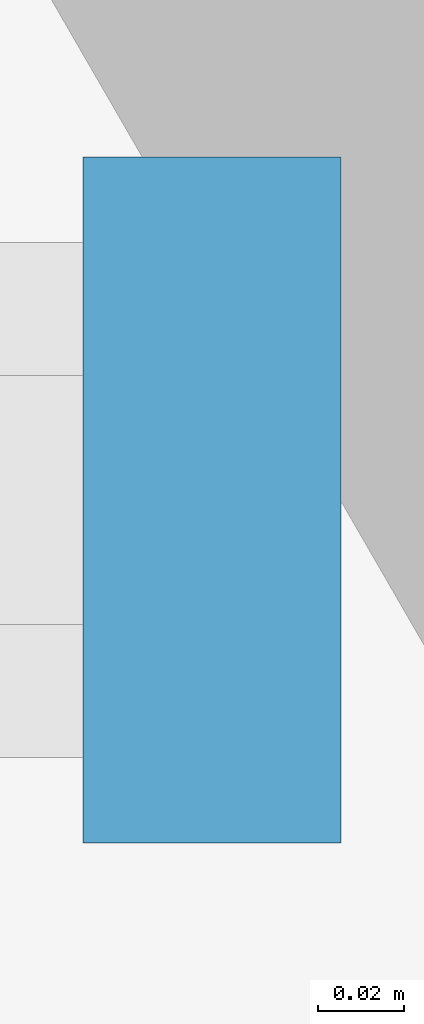
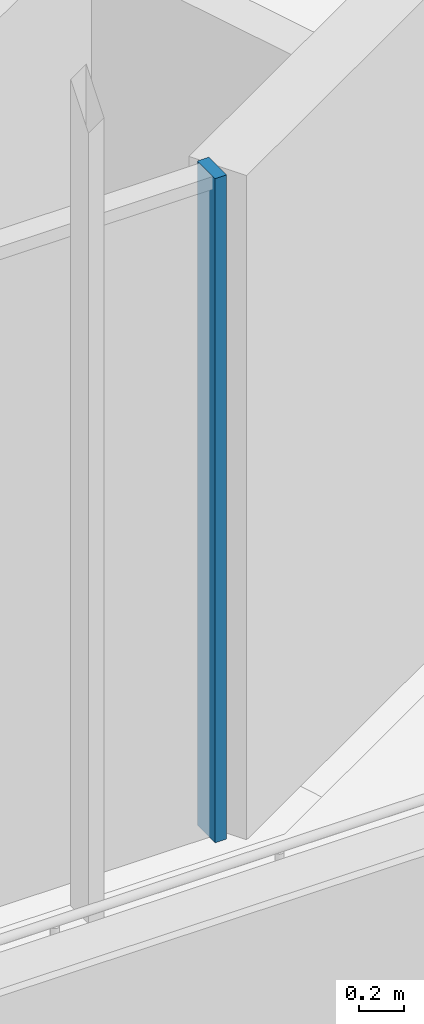
# One storey, part 31 of 127: 1 member, 1 element without a shape of its own.
"""IFC4 building model written with IfcOpenShell, lengths in metres."""

import ifcopenshell
import ifcopenshell.guid

model = None  # the IFC model being written
_history = None  # IfcOwnerHistory: only IFC2X3 demands one
_inside = {}  # id of a spatial element -> (the spatial element, [elements in it])
_under = {}  # id of a project, library or spatial element -> (it, [spatial elements below it])
_declared = {}  # id of a project -> (the project, [libraries it declares])
_typed = {}  # id of a type object -> (the type object, [elements of that type])
_made_of = {}  # id of a material, layer set ... -> (it, [elements and type objects made of it])


def new_model(schema):
    """Start an empty IFC model of exactly this schema.

    Asked for "IFC4X3", IfcOpenShell would pick the latest addendum, in which some entities
    have other attributes; the version numbers below select the first issue.
    IFC2X3 requires an IfcOwnerHistory on every rooted entity: one is made here for all.
    """
    global model, _history
    if schema == "IFC4X3":
        model = ifcopenshell.file(schema_version=(4, 3, 0, 0))
    else:
        model = ifcopenshell.file(schema=schema)
    _inside.clear()
    _under.clear()
    _declared.clear()
    _typed.clear()
    _made_of.clear()
    _history = None
    if model.schema == "IFC2X3":
        org = make("IfcOrganization", Name="unknown")
        user = make(
            "IfcPersonAndOrganization",
            ThePerson=make("IfcPerson", FamilyName="unknown"),
            TheOrganization=org,
        )
        app = make(
            "IfcApplication",
            ApplicationDeveloper=org,
            Version="unknown",
            ApplicationFullName="unknown",
            ApplicationIdentifier="unknown",
        )
        _history = make(
            "IfcOwnerHistory",
            OwningUser=user,
            OwningApplication=app,
            ChangeAction="ADDED",
            CreationDate=0,
        )
    return model


def make(cls, **values):
    """One entity of the class cls with the attributes given. An attribute that is None is left unset."""
    return model.create_entity(
        cls, **{name: value for name, value in values.items() if value is not None}
    )


def rooted(cls, **values):
    """An entity with a GlobalId (a new one), such as an element, a storey or a relation."""
    return make(cls, GlobalId=ifcopenshell.guid.new(), OwnerHistory=_history, **values)


def si_unit(unit_type, name, prefix=None):
    """IfcSIUnit, for example si_unit("LENGTHUNIT", "METRE", prefix="MILLI")."""
    return make("IfcSIUnit", UnitType=unit_type, Prefix=prefix, Name=name)


def assignment(units):
    """IfcUnitAssignment: the units of a project."""
    return None if units is None else make("IfcUnitAssignment", Units=units)


def point(xyz):
    """IfcCartesianPoint."""
    return None if xyz is None else make("IfcCartesianPoint", Coordinates=xyz)


def direction(xyz):
    """IfcDirection."""
    return None if xyz is None else make("IfcDirection", DirectionRatios=xyz)


def frame(location, z_axis=None, x_axis=None):
    """IfcAxis2Placement3D, a coordinate frame: its origin and axes. An axis left out is left unset."""
    return make(
        "IfcAxis2Placement3D",
        Location=point(location),
        Axis=direction(z_axis),
        RefDirection=direction(x_axis),
    )


def frame_2d(location, x_axis=None):
    """IfcAxis2Placement2D, a coordinate frame in the plane: its origin and x axis."""
    return make(
        "IfcAxis2Placement2D", Location=point(location), RefDirection=direction(x_axis)
    )


def origin():
    """The frame at (0, 0, 0) with its axes left unset."""
    return frame((0.0, 0.0, 0.0))


def origin_2d():
    """The frame at (0, 0) in the plane with its x axis left unset."""
    return frame_2d((0.0, 0.0))


def place(relative_to, where):
    """IfcLocalPlacement: puts the frame where relative to a parent placement (None: the world)."""
    return make(
        "IfcLocalPlacement", PlacementRelTo=relative_to, RelativePlacement=where
    )


def context(
    kind, dimensions, precision=None, world=None, true_north=None, identifier=None
):
    """IfcGeometricRepresentationContext, for example the 3D "Model" context."""
    return make(
        "IfcGeometricRepresentationContext",
        ContextIdentifier=identifier,
        ContextType=kind,
        CoordinateSpaceDimension=dimensions,
        Precision=precision,
        WorldCoordinateSystem=world,
        TrueNorth=true_north,
    )


def subcontext(parent, identifier, kind, view, scale=None):
    """IfcGeometricRepresentationSubContext, for example "Body" below "Model"."""
    return make(
        "IfcGeometricRepresentationSubContext",
        ContextIdentifier=identifier,
        ContextType=kind,
        ParentContext=parent,
        TargetScale=scale,
        TargetView=view,
    )


def project(units=None, contexts=None):
    """IfcProject with its units and contexts."""
    return rooted(
        "IfcProject",
        Name="project",
        RepresentationContexts=contexts,
        UnitsInContext=assignment(units),
    )


def spatial(cls, under=None, at=None, **own):
    """A site, building, storey or space (cls), placed at a placement, below another one or the project."""
    s = rooted(cls, ObjectPlacement=at, **own)
    if under is not None:
        _under.setdefault(under.id(), (under, []))[1].append(s)
    return s


def profile(cls, at=None, kind="AREA", **sizes):
    """A parametric profile (cls). Its sizes go by their IFC names, for example OverallWidth=200.0."""
    return make(cls, ProfileType=kind, Position=at, **sizes)


def rectangle(**sizes):
    """IfcRectangleProfileDef."""
    return profile("IfcRectangleProfileDef", **sizes)


def extrude(swept, where, along, depth):
    """IfcExtrudedAreaSolid: the profile swept, set in the frame where, extruded along a direction by depth."""
    return make(
        "IfcExtrudedAreaSolid",
        SweptArea=swept,
        Position=where,
        ExtrudedDirection=direction(along),
        Depth=depth,
    )


def shape(context_of_items, identifier, shape_type, items):
    """IfcShapeRepresentation: the items that make up one representation, for example the "Body"."""
    return make(
        "IfcShapeRepresentation",
        ContextOfItems=context_of_items,
        RepresentationIdentifier=identifier,
        RepresentationType=shape_type,
        Items=items,
    )


def material(Name=None, Category=None):
    """IfcMaterial."""
    return make("IfcMaterial", Name=Name, Category=Category)


def material_profile(
    of_material, cross_section, Name=None, Category=None, Priority=None
):
    """IfcMaterialProfile: a cross section and its material."""
    return make(
        "IfcMaterialProfile",
        Name=Name,
        Material=of_material,
        Profile=cross_section,
        Priority=Priority,
        Category=Category,
    )


def profile_set(profiles, Name=None, composite=None):
    """IfcMaterialProfileSet."""
    return make(
        "IfcMaterialProfileSet",
        Name=Name,
        MaterialProfiles=profiles,
        CompositeProfile=composite,
    )


def made_of(thing, what):
    """Note that an element or type object is made of a material, layer set ...; save() writes the relation."""
    if what is not None:
        _made_of.setdefault(what.id(), (what, []))[1].append(thing)
    return thing


def type_object(cls, material=None, **own):
    """A type object (cls), such as IfcWallType, which elements share."""
    return made_of(rooted(cls, **own), material)


def element(
    cls,
    number,
    at=None,
    inside=None,
    cuts=None,
    type_object=None,
    material=None,
    context=None,
    identifier="Body",
    shape_type=None,
    held_by="IfcProductDefinitionShape",
    body=None,
    shapes=None,
    **own,
):
    """One element of the class cls, such as IfcWall. Its Tag is "e" and its number.

    at: its placement. inside: the storey or other place that contains it. cuts: it is an
    opening in that element (IfcRelVoidsElement). A single representation is given by context,
    identifier, shape_type and body (its items); several are given by shapes. held_by: the class
    of the entity that holds the representations. save() writes the other relations.
    """
    e = rooted(cls, Tag="e%d" % number, ObjectPlacement=at, **own)
    if body is not None:
        shapes = [shape(context, identifier, shape_type, body)]
    if shapes is not None:
        e.Representation = make(held_by, Representations=shapes)
    if inside is not None:
        _inside.setdefault(inside.id(), (inside, []))[1].append(e)
    if cuts is not None:
        rooted(
            "IfcRelVoidsElement", RelatingBuildingElement=cuts, RelatedOpeningElement=e
        )
    if type_object is not None:
        _typed.setdefault(type_object.id(), (type_object, []))[1].append(e)
    return made_of(e, material)


def aggregate(whole, parts):
    """IfcRelAggregates: a whole, such as a stair, and the parts it consists of."""
    return rooted("IfcRelAggregates", RelatingObject=whole, RelatedObjects=parts)


def save(model, path):
    """Write the relations noted so far, then the file.

    IfcRelAggregates (storeys below a building ...), IfcRelContainedInSpatialStructure (elements
    in a storey), IfcRelDefinesByType, IfcRelAssociatesMaterial and IfcRelDeclares: one each for
    every whole, place, type object, material and project.
    """
    for whole, parts in _under.values():
        aggregate(whole, parts)
    for where, things in _inside.values():
        rooted(
            "IfcRelContainedInSpatialStructure",
            RelatedElements=things,
            RelatingStructure=where,
        )
    for kind, things in _typed.values():
        rooted("IfcRelDefinesByType", RelatedObjects=things, RelatingType=kind)
    for what, things in _made_of.values():
        rooted("IfcRelAssociatesMaterial", RelatedObjects=things, RelatingMaterial=what)
    for by, libraries in _declared.values():
        rooted("IfcRelDeclares", RelatingContext=by, RelatedDefinitions=libraries)
    model.write(path)


model = new_model("IFC4")

# Units and contexts
model_context = context("Model", 3, precision=1e-05, world=origin(), true_north=direction((0.0, 1.0)))
body_context = subcontext(model_context, "Body", "Model", "MODEL_VIEW")
ifc_project = project(units=[si_unit("LENGTHUNIT", "METRE"), si_unit("AREAUNIT", "SQUARE_METRE"), si_unit("VOLUMEUNIT", "CUBIC_METRE"), si_unit("PLANEANGLEUNIT", "RADIAN"), si_unit("MASSUNIT", "GRAM", prefix="KILO")], contexts=[model_context])

# Site, building, storey
site_placement = place(None, origin())
site = spatial("IfcSite", under=ifc_project, at=site_placement, CompositionType="ELEMENT")
building_placement = place(site_placement, origin())
building = spatial("IfcBuilding", under=site, at=building_placement, Name="Sandreach Pilgrim Tower", CompositionType="ELEMENT")
storey_placement = place(building_placement, frame((0.0, 0.0, 257.0)))
storey = spatial("IfcBuildingStorey", under=building, at=storey_placement, Name="L64", CompositionType="ELEMENT", Elevation=257.0)

# Curtain wall, member
ifc_material_1 = material(Name="Aluminium framed curtain wall", Category="aluminium")
curtain_wall_type = type_object("IfcCurtainWallType", Name="Suite tower curtain wall", PredefinedType="NOTDEFINED", material=ifc_material_1)
curtain_wall_placement = place(storey_placement, origin())
curtain_wall = element("IfcCurtainWall", 1, at=curtain_wall_placement, inside=storey, type_object=curtain_wall_type, Name="CW-4 L64 SA", PredefinedType="NOTDEFINED")
ifc_material_2 = material(Name="Aluminium extrusion", Category="aluminium")
ifc_material_profile = material_profile(ifc_material_2, rectangle(XDim=0.06005859375, YDim=0.159912109375, at=origin_2d()), Name="CW-4M 60X160")
ifc_profile_set = profile_set([ifc_material_profile], Name="Aluminium extrusion")
member_type = type_object("IfcMemberType", Name="CW-4 mullion", PredefinedType="MULLION", material=ifc_profile_set)
member_placement = place(storey_placement, frame((7.553466796875, -24.858154296875, 0.0), z_axis=(0.0, 0.0, 1.0), x_axis=(-1.0, 0.0, 0.0)))
member = element("IfcMember", 2, at=member_placement, type_object=member_type, Name="CW-4 mullion 1", PredefinedType="MULLION", context=body_context, shape_type="SweptSolid", body=[
    extrude(rectangle(XDim=0.06005859375, YDim=0.159912109375, at=origin_2d()), origin(), (0.0, 0.0, 1.0), 3.639892578125),
])
aggregate(curtain_wall, [member])

save(model, "model.ifc")
